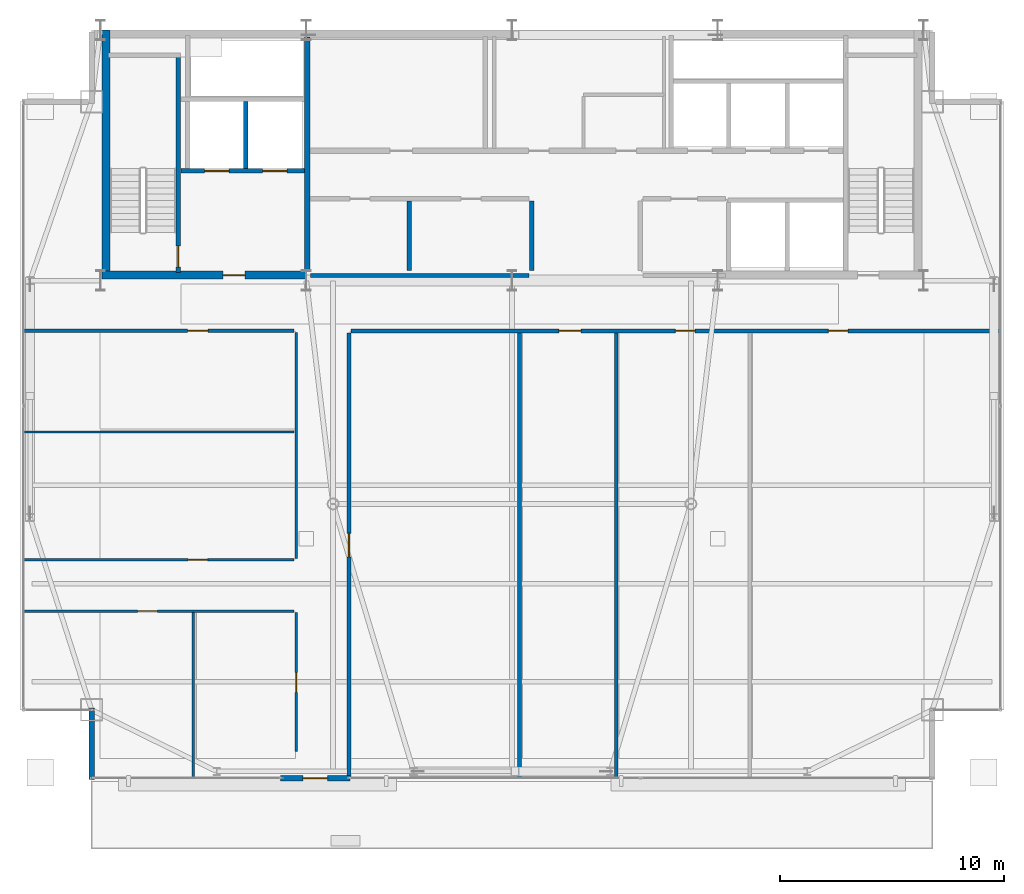
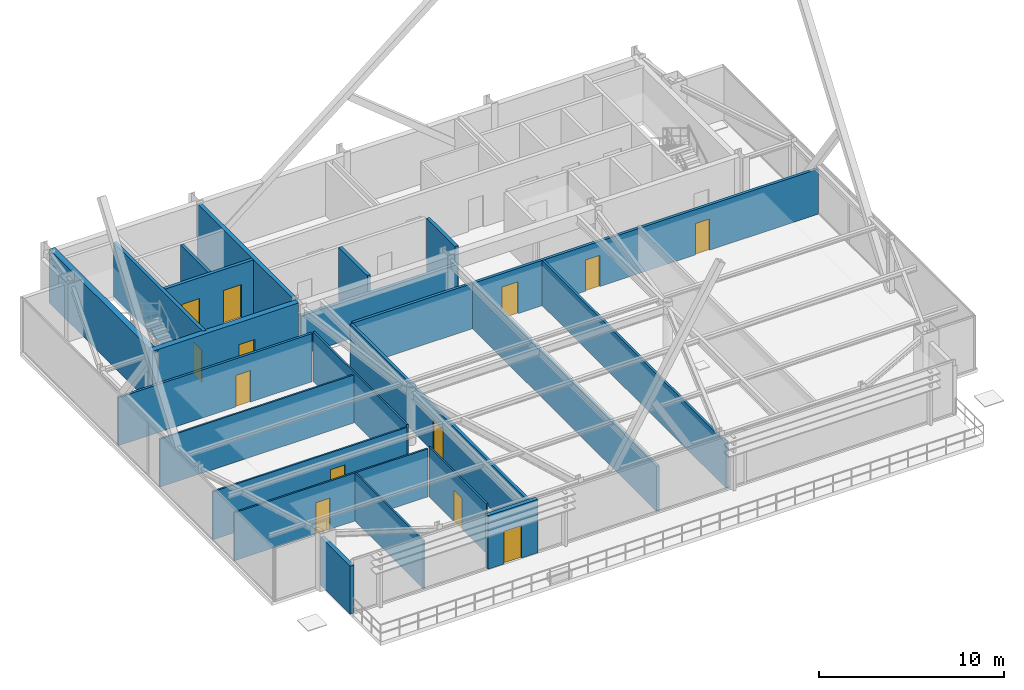
# One storey, part 21 of 25: 22 walls, 13 doors, 13 openings.
"""IFC4 building model written with IfcOpenShell, lengths in metres."""

from ifc_helpers import new_model, si_unit, direction, frame, frame_2d, origin, place, context, subcontext, project, spatial, rectangle, extrude, source, transform, mapped, material, layer, layer_set, type_object, type_shapes, element, fill, save


model = new_model("IFC4")

# Units and contexts
model_context = context("Model", 3, precision=1e-05, world=origin(), true_north=direction((0.0, 1.0)))
body_context = subcontext(model_context, "Body", "Model", "MODEL_VIEW")
ifc_project = project(units=[si_unit("LENGTHUNIT", "METRE"), si_unit("AREAUNIT", "SQUARE_METRE"), si_unit("VOLUMEUNIT", "CUBIC_METRE"), si_unit("PLANEANGLEUNIT", "RADIAN"), si_unit("MASSUNIT", "GRAM", prefix="KILO")], contexts=[model_context])

# Site, building, storey
site_placement = place(None, origin())
site = spatial("IfcSite", under=ifc_project, at=site_placement, CompositionType="ELEMENT")
building_placement = place(site_placement, origin())
building = spatial("IfcBuilding", under=site, at=building_placement, Name="Varnel Quay Broadcast Tower", CompositionType="ELEMENT")
storey_placement = place(building_placement, frame((0.0, 0.0, 258.39990234375)))
storey = spatial("IfcBuildingStorey", under=building, at=storey_placement, Name="L64", CompositionType="ELEMENT", Elevation=258.39990234375)

# Wall, opening, door
ifc_material_1 = material(Name="Concrete CSA A23.3 C50/60", Category="concrete")
ifc_layer_1 = layer(ifc_material_1, 0.199951171875, Name="Concrete CSA A23.3 C50/60")
ifc_layer_set_1 = layer_set([ifc_layer_1], Name="Concrete CSA A23.3 C50/60")
wall_type_1 = type_object("IfcWallType", Name="Wall_CoreShaftShear200", PredefinedType="SHEAR", material=ifc_layer_set_1)
wall_1_placement = place(storey_placement, frame((19.080078125, 35.949951171875, 0.0), z_axis=(0.0, 0.0, 1.0), x_axis=(0.0, 1.0, 0.0)))
wall_1 = element("IfcWall", 1, at=wall_1_placement, inside=storey, type_object=wall_type_1, Name="L64 Stair 1 East Structural Wall", PredefinedType="SHEAR", context=body_context, shape_type="SweptSolid", body=[
    extrude(rectangle(XDim=9.650146484375, YDim=0.199951171875, at=frame_2d((4.8251953125, 0.0))), origin(), (0.0, 0.0, 1.0), 3.550048828125),
])
opening_1_placement = place(wall_1_placement, frame((0.25, 0.0, 0.0)))
opening_1 = element("IfcOpeningElement", 2, at=opening_1_placement, cuts=wall_1, Name="Opening D-L64-S1", PredefinedType="OPENING", context=body_context, shape_type="SweptSolid", body=[
    extrude(rectangle(XDim=0.949951171875, YDim=2.10009765625, at=frame_2d((0.47509765625, 1.050048828125))), frame((0.0, 0.10986328125, 0.0), z_axis=(0.0, -1.0, 0.0), x_axis=(1.0, 0.0, 0.0)), (0.0, 0.0, 1.0), 0.219970703125),
])
ifc_material_2 = material(Name="Insulated Fire-Rated Hollow Steel Door", Category="steel")
door_type_1 = type_object("IfcDoorType", Name="Door_FireStair950", OperationType="NOTDEFINED", PredefinedType="DOOR", material=ifc_material_2)
shared_shape_1 = source(origin(), body_context, "Body", "SweptSolid", [
    extrude(rectangle(XDim=0.949951171875, YDim=2.10009765625, at=frame_2d((0.47509765625, 1.050048828125))), frame((0.0, 0.02490234375, 0.0), z_axis=(0.0, -1.0, 0.0), x_axis=(1.0, 0.0, 0.0)), (0.0, 0.0, 1.0), 0.050048828125),
])
type_shapes(door_type_1, [shared_shape_1])
door_1_placement = place(opening_1_placement, origin())
door_1 = element("IfcDoor", 3, at=door_1_placement, inside=storey, type_object=door_type_1, Name="L64 Stair 1 Fire Door", OperationType="SINGLE_SWING_RIGHT", OverallHeight=2.10009765625, OverallWidth=0.949951171875, PredefinedType="DOOR", context=body_context, shape_type="MappedRepresentation", body=[
    mapped(shared_shape_1, transform((0.0, 0.0, 0.0), x_axis=(1.0, 0.0, 0.0), y_axis=(0.0, 1.0, 0.0), z_axis=(0.0, 0.0, 1.0), scale=1.0)),
])
fill(opening_1, door_1)

# Wall, openings, doors
wall_2_placement = place(storey_placement, frame((19.199951171875, 40.5, 0.0), z_axis=(0.0, 0.0, 1.0), x_axis=(1.0, 0.0, 0.0)))
wall_2 = element("IfcWall", 4, at=wall_2_placement, inside=storey, type_object=wall_type_1, Name="L64 Firefighter Lift Shaft Front Wall", PredefinedType="SHEAR", context=body_context, shape_type="SweptSolid", body=[
    extrude(rectangle(XDim=5.52001953125, YDim=0.199951171875, at=frame_2d((2.760009765625, 0.0))), origin(), (0.0, 0.0, 1.0), 3.550048828125),
])
opening_2_placement = place(wall_2_placement, frame((1.050048828125, 0.0, 0.0)))
opening_2 = element("IfcOpeningElement", 5, at=opening_2_placement, cuts=wall_2, Name="Opening LD-L64-FE1", PredefinedType="OPENING", context=body_context, shape_type="SweptSolid", body=[
    extrude(rectangle(XDim=1.10009765625, YDim=2.179931640625, at=frame_2d((0.550048828125, 1.08984375))), frame((0.0, 0.10986328125, 0.0), z_axis=(0.0, -1.0, 0.0), x_axis=(1.0, 0.0, 0.0)), (0.0, 0.0, 1.0), 0.219970703125),
])
opening_3_placement = place(wall_2_placement, frame((3.64990234375, 0.0, 0.0)))
opening_3 = element("IfcOpeningElement", 6, at=opening_3_placement, cuts=wall_2, Name="Opening LD-L64-FE2", PredefinedType="OPENING", context=body_context, shape_type="SweptSolid", body=[
    extrude(rectangle(XDim=1.10009765625, YDim=2.179931640625, at=frame_2d((0.550048828125, 1.08984375))), frame((0.0, 0.10986328125, 0.0), z_axis=(0.0, -1.0, 0.0), x_axis=(1.0, 0.0, 0.0)), (0.0, 0.0, 1.0), 0.219970703125),
])
ifc_material_3 = material(Name="Brushed Bronze-Stainless Lift Car & Sliding Doors", Category="steel")
door_type_2 = type_object("IfcDoorType", Name="Door_LiftLanding1100", OperationType="SLIDING_TO_LEFT", PredefinedType="DOOR", material=ifc_material_3)
shared_shape_2 = source(origin(), body_context, "Body", "SweptSolid", [
    extrude(rectangle(XDim=1.10009765625, YDim=2.179931640625, at=frame_2d((0.550048828125, 1.08984375))), frame((0.0, 0.02490234375, 0.0), z_axis=(0.0, -1.0, 0.0), x_axis=(1.0, 0.0, 0.0)), (0.0, 0.0, 1.0), 0.050048828125),
])
type_shapes(door_type_2, [shared_shape_2])
door_2_placement = place(opening_2_placement, frame((1.10009765625, 0.0, 0.0), z_axis=(0.0, 0.0, 1.0), x_axis=(-1.0, 0.0, 0.0)))
door_2 = element("IfcDoor", 7, at=door_2_placement, inside=storey, type_object=door_type_2, Name="L64 Firefighter Lift FE-01 Landing Door", OperationType="SLIDING_TO_LEFT", OverallHeight=2.179931640625, OverallWidth=1.10009765625, PredefinedType="DOOR", context=body_context, shape_type="MappedRepresentation", body=[
    mapped(shared_shape_2, transform((0.0, 0.0, 0.0), x_axis=(1.0, 0.0, 0.0), y_axis=(0.0, 1.0, 0.0), z_axis=(0.0, 0.0, 1.0), scale=1.0)),
])
fill(opening_2, door_2)
door_3_placement = place(opening_3_placement, frame((1.10009765625, 0.0, 0.0), z_axis=(0.0, 0.0, 1.0), x_axis=(-1.0, 0.0, 0.0)))
door_3 = element("IfcDoor", 8, at=door_3_placement, inside=storey, type_object=door_type_2, Name="L64 Firefighter Lift FE-02 Landing Door", OperationType="SLIDING_TO_RIGHT", OverallHeight=2.179931640625, OverallWidth=1.10009765625, PredefinedType="DOOR", context=body_context, shape_type="MappedRepresentation", body=[
    mapped(shared_shape_2, transform((0.0, 0.0, 0.0), x_axis=(1.0, 0.0, 0.0), y_axis=(0.0, 1.0, 0.0), z_axis=(0.0, 0.0, 1.0), scale=1.0)),
])
fill(opening_3, door_3)

# Walls
wall_3_placement = place(storey_placement, frame((22.10009765625, 40.60009765625, 0.0), z_axis=(0.0, 0.0, 1.0), x_axis=(0.0, 1.0, 0.0)))
element("IfcWall", 9, at=wall_3_placement, inside=storey, type_object=wall_type_1, Name="L64 Firefighter Lift Shaft Divider", PredefinedType="SHEAR", context=body_context, shape_type="SweptSolid", body=[
    extrude(rectangle(XDim=3.0, YDim=0.199951171875, at=frame_2d((1.5, 0.0))), origin(), (0.0, 0.0, 1.0), 3.550048828125),
])
ifc_layer_2 = layer(ifc_material_1, 0.25, Name="Concrete CSA A23.3 C50/60")
ifc_layer_set_2 = layer_set([ifc_layer_2], Name="Concrete CSA A23.3 C50/60")
wall_type_2 = type_object("IfcWallType", Name="Wall_CoreShaftShear250", PredefinedType="SHEAR", material=ifc_layer_set_2)
wall_4_placement = place(storey_placement, frame((24.85009765625, 36.050048828125, 0.0), z_axis=(0.0, 0.0, 1.0), x_axis=(0.0, 1.0, 0.0)))
element("IfcWall", 10, at=wall_4_placement, inside=storey, type_object=wall_type_2, Name="L64 Firefighting Lobby East Structural Wall", PredefinedType="SHEAR", context=body_context, shape_type="SweptSolid", body=[
    extrude(rectangle(XDim=10.449951171875, YDim=0.25, at=frame_2d((5.22509765625, 0.0))), origin(), (0.0, 0.0, 1.0), 3.550048828125),
])
ifc_layer_3 = layer(ifc_material_1, 0.35009765625, Name="Concrete CSA A23.3 C50/60")
ifc_layer_set_3 = layer_set([ifc_layer_3], Name="Concrete CSA A23.3 C50/60")
wall_type_3 = type_object("IfcWallType", Name="Wall_CoreShearInt350", PredefinedType="SHEAR", material=ifc_layer_set_3)
wall_5_placement = place(storey_placement, frame((15.844970703125, 35.669921875, 0.0), z_axis=(0.0, 0.0, 1.0), x_axis=(0.0, 1.0, 0.0)))
element("IfcWall", 11, at=wall_5_placement, inside=storey, type_object=wall_type_3, Name="L64 West Core Shear Wall", PredefinedType="SHEAR", context=body_context, shape_type="SweptSolid", body=[
    extrude(rectangle(XDim=11.130126953125, YDim=0.35009765625, at=frame_2d((5.56494140625, 0.0))), origin(), (0.0, 0.0, 1.0), 3.550048828125),
])

# Wall, opening, door
wall_6_placement = place(storey_placement, frame((15.669921875, 35.844970703125, 0.0), z_axis=(0.0, 0.0, 1.0), x_axis=(1.0, 0.0, 0.0)))
wall_6 = element("IfcWall", 12, at=wall_6_placement, inside=storey, type_object=wall_type_3, Name="L64 South-West Core Shear Wall", PredefinedType="SHEAR", context=body_context, shape_type="SweptSolid", body=[
    extrude(rectangle(XDim=9.130126953125, YDim=0.35009765625, at=frame_2d((4.56494140625, 0.0))), origin(), (0.0, 0.0, 1.0), 3.550048828125),
])
opening_4_placement = place(wall_6_placement, frame((5.39990234375, 0.0, 0.0)))
opening_4 = element("IfcOpeningElement", 13, at=opening_4_placement, cuts=wall_6, Name="Opening D-L64-FFL", PredefinedType="OPENING", context=body_context, shape_type="SweptSolid", body=[
    extrude(rectangle(XDim=1.0, YDim=2.10009765625, at=frame_2d((0.5, 1.050048828125))), frame((0.0, 0.18505859375, 0.0), z_axis=(0.0, -1.0, 0.0), x_axis=(1.0, 0.0, 0.0)), (0.0, 0.0, 1.0), 0.3701171875),
])
door_type_3 = type_object("IfcDoorType", Name="Door_FireLobby1000", OperationType="NOTDEFINED", PredefinedType="DOOR", material=ifc_material_2)
shared_shape_3 = source(origin(), body_context, "Body", "SweptSolid", [
    extrude(rectangle(XDim=1.0, YDim=2.10009765625, at=frame_2d((0.5, 1.050048828125))), frame((0.0, 0.02490234375, 0.0), z_axis=(0.0, -1.0, 0.0), x_axis=(1.0, 0.0, 0.0)), (0.0, 0.0, 1.0), 0.050048828125),
])
type_shapes(door_type_3, [shared_shape_3])
door_4_placement = place(opening_4_placement, origin())
door_4 = element("IfcDoor", 14, at=door_4_placement, inside=storey, type_object=door_type_3, Name="L64 Firefighting Lobby Door", OperationType="SINGLE_SWING_LEFT", OverallHeight=2.10009765625, OverallWidth=1.0, PredefinedType="DOOR", context=body_context, shape_type="MappedRepresentation", body=[
    mapped(shared_shape_3, transform((0.0, 0.0, 0.0), x_axis=(1.0, 0.0, 0.0), y_axis=(0.0, 1.0, 0.0), z_axis=(0.0, 0.0, 1.0), scale=1.0)),
])
fill(opening_4, door_4)

ifc_material_4 = material(Name="Precast Architectural Concrete C40/50", Category="concrete")
ifc_layer_4 = layer(ifc_material_4, 0.25, Name="Precast Architectural Concrete C40/50")
ifc_layer_set_4 = layer_set([ifc_layer_4], Name="Precast Architectural Concrete C40/50")
wall_type_4 = type_object("IfcWallType", Name="Wall_ExtTerrace250", PredefinedType="SOLIDWALL", material=ifc_layer_set_4)
wall_7_placement = place(storey_placement, frame((23.64990234375, 13.35009765625, 0.0), z_axis=(0.0, 0.0, 1.0), x_axis=(1.0, 0.0, 0.0)))
wall_7 = element("IfcWall", 15, at=wall_7_placement, inside=storey, type_object=wall_type_4, Name="L64 Terrace Access Wall 1", PredefinedType="SOLIDWALL", context=body_context, shape_type="SweptSolid", body=[
    extrude(rectangle(XDim=3.10009765625, YDim=0.25, at=frame_2d((1.550048828125, 0.0))), origin(), (0.0, 0.0, 1.0), 3.530029296875),
])
opening_5_placement = place(wall_7_placement, frame((1.0, 0.0, 0.0)))
opening_5 = element("IfcOpeningElement", 16, at=opening_5_placement, cuts=wall_7, Name="Opening TD-641", PredefinedType="OPENING", context=body_context, shape_type="SweptSolid", body=[
    extrude(rectangle(XDim=1.10009765625, YDim=2.14990234375, at=frame_2d((0.550048828125, 1.074951171875))), frame((0.0, 0.135009765625, 0.0), z_axis=(0.0, -1.0, 0.0), x_axis=(1.0, 0.0, 0.0)), (0.0, 0.0, 1.0), 0.27001953125),
])
ifc_material_5 = material(Name="Anodised Bronze Aluminium 6063-T6", Category="aluminium")
door_type_4 = type_object("IfcDoorType", Name="Door_ExtTerrace1100", OperationType="NOTDEFINED", PredefinedType="DOOR", material=ifc_material_5)
shared_shape_4 = source(origin(), body_context, "Body", "SweptSolid", [
    extrude(rectangle(XDim=1.10009765625, YDim=2.14990234375, at=frame_2d((0.550048828125, 1.074951171875))), frame((0.0, 0.02490234375, 0.0), z_axis=(0.0, -1.0, 0.0), x_axis=(1.0, 0.0, 0.0)), (0.0, 0.0, 1.0), 0.050048828125),
])
type_shapes(door_type_4, [shared_shape_4])
door_5_placement = place(opening_5_placement, frame((1.10009765625, 0.0, 0.0), z_axis=(0.0, 0.0, 1.0), x_axis=(-1.0, 0.0, 0.0)))
door_5 = element("IfcDoor", 17, at=door_5_placement, inside=storey, type_object=door_type_4, Name="L64 Terrace Door TD-641", OperationType="SINGLE_SWING_LEFT", OverallHeight=2.14990234375, OverallWidth=1.10009765625, PredefinedType="DOOR", context=body_context, shape_type="MappedRepresentation", body=[
    mapped(shared_shape_4, transform((0.0, 0.0, 0.0), x_axis=(1.0, 0.0, 0.0), y_axis=(0.0, 1.0, 0.0), z_axis=(0.0, 0.0, 1.0), scale=1.0)),
])
fill(opening_5, door_5)

# Walls
wall_8_placement = place(storey_placement, frame((15.199951171875, 13.280029296875, 0.0), z_axis=(0.0, 0.0, 1.0), x_axis=(0.0, 1.0, 0.0)))
element("IfcWall", 18, at=wall_8_placement, inside=storey, type_object=wall_type_4, Name="L64 Mega-Column Notch Cladding Wall NSW2", PredefinedType="SOLIDWALL", context=body_context, shape_type="SweptSolid", body=[
    extrude(rectangle(XDim=3.199951171875, YDim=0.25, at=frame_2d((1.60009765625, 0.0))), origin(), (0.0, 0.0, 1.0), 3.171142578125),
])
ifc_material_6 = material(Name="Steel-Stud Fire-Rated Acoustic Gypsum Partition Assembly", Category="steel")
ifc_layer_5 = layer(ifc_material_6, 0.10498046875, Name="Steel-Stud Fire-Rated Acoustic Gypsum Partition Assembly")
ifc_layer_set_5 = layer_set([ifc_layer_5], Name="Steel-Stud Fire-Rated Acoustic Gypsum Partition Assembly")
wall_type_5 = type_object("IfcWallType", Name="Wall_Partition105", PredefinedType="PARTITIONING", material=ifc_layer_set_5)
wall_9_placement = place(storey_placement, frame((19.75, 13.3798828125, 0.0), z_axis=(0.0, 0.0, 1.0), x_axis=(0.0, 1.0, 0.0)))
element("IfcWall", 19, at=wall_9_placement, inside=storey, type_object=wall_type_5, Name="L64 Media Tape Archive Store 1 Partition 8", PredefinedType="PARTITIONING", context=body_context, shape_type="SweptSolid", body=[
    extrude(rectangle(XDim=7.378173828125, YDim=0.10498046875, at=frame_2d((3.68896484375, 0.0))), origin(), (0.0, 0.0, 1.0), 3.171142578125),
])

# Wall, opening, door
wall_10_placement = place(storey_placement, frame((12.179931640625, 20.81005859375, 0.0), z_axis=(0.0, 0.0, 1.0), x_axis=(1.0, 0.0, 0.0)))
wall_10 = element("IfcWall", 20, at=wall_10_placement, inside=storey, type_object=wall_type_5, Name="L64 Media Tape Archive Store 1 Partition 9", PredefinedType="PARTITIONING", context=body_context, shape_type="SweptSolid", body=[
    extrude(rectangle(XDim=12.080078125, YDim=0.10498046875, at=frame_2d((6.0400390625, 0.0))), origin(), (0.0, 0.0, 1.0), 3.171142578125),
])
opening_6_placement = place(wall_10_placement, frame((5.080078125, 0.0, 0.0)))
opening_6 = element("IfcOpeningElement", 21, at=opening_6_placement, cuts=wall_10, Name="Opening D-L64-04", PredefinedType="OPENING", context=body_context, shape_type="SweptSolid", body=[
    extrude(rectangle(XDim=0.8798828125, YDim=2.06005859375, at=frame_2d((0.43994140625, 1.030029296875))), frame((0.0, 0.0625, 0.0), z_axis=(0.0, -1.0, 0.0), x_axis=(1.0, 0.0, 0.0)), (0.0, 0.0, 1.0), 0.125),
])
ifc_material_7 = material(Name="Solid-Core Fire-Rated Acoustic Oak Veneer Door", Category="wood")
door_type_5 = type_object("IfcDoorType", Name="Door_Booth880", OperationType="NOTDEFINED", PredefinedType="DOOR", material=ifc_material_7)
shared_shape_5 = source(origin(), body_context, "Body", "SweptSolid", [
    extrude(rectangle(XDim=0.8798828125, YDim=2.06005859375, at=frame_2d((0.43994140625, 1.030029296875))), frame((0.0, 0.02490234375, 0.0), z_axis=(0.0, -1.0, 0.0), x_axis=(1.0, 0.0, 0.0)), (0.0, 0.0, 1.0), 0.050048828125),
])
type_shapes(door_type_5, [shared_shape_5])
door_6_placement = place(opening_6_placement, frame((0.8798828125, 0.0, 0.0), z_axis=(0.0, 0.0, 1.0), x_axis=(-1.0, 0.0, 0.0)))
door_6 = element("IfcDoor", 22, at=door_6_placement, inside=storey, type_object=door_type_5, Name="L64 Media Tape Archive Store 1 Door D-L64-04", OperationType="SINGLE_SWING_LEFT", OverallHeight=2.06005859375, OverallWidth=0.8798828125, PredefinedType="DOOR", context=body_context, shape_type="MappedRepresentation", body=[
    mapped(shared_shape_5, transform((0.0, 0.0, 0.0), x_axis=(1.0, 0.0, 0.0), y_axis=(0.0, 1.0, 0.0), z_axis=(0.0, 0.0, 1.0), scale=1.0)),
])
fill(opening_6, door_6)

wall_11_placement = place(storey_placement, frame((24.360107421875, 14.550048828125, 0.0), z_axis=(0.0, 0.0, 1.0), x_axis=(0.0, 1.0, 0.0)))
wall_11 = element("IfcWall", 23, at=wall_11_placement, inside=storey, type_object=wall_type_5, Name="L64 Lens & Rigging Store 2 Partition 10", PredefinedType="PARTITIONING", context=body_context, shape_type="SweptSolid", body=[
    extrude(rectangle(XDim=6.2080078125, YDim=0.10498046875, at=frame_2d((3.10400390625, 0.0))), origin(), (0.0, 0.0, 1.0), 3.278076171875),
])
opening_7_placement = place(wall_11_placement, frame((2.639892578125, 0.0, 0.0)))
opening_7 = element("IfcOpeningElement", 24, at=opening_7_placement, cuts=wall_11, Name="Opening D-L64-05", PredefinedType="OPENING", context=body_context, shape_type="SweptSolid", body=[
    extrude(rectangle(XDim=0.8798828125, YDim=2.06005859375, at=frame_2d((0.43994140625, 1.030029296875))), frame((0.0, 0.0625, 0.0), z_axis=(0.0, -1.0, 0.0), x_axis=(1.0, 0.0, 0.0)), (0.0, 0.0, 1.0), 0.125),
])
door_7_placement = place(opening_7_placement, origin())
door_7 = element("IfcDoor", 25, at=door_7_placement, inside=storey, type_object=door_type_5, Name="L64 Lens & Rigging Store 2 Door D-L64-05", OperationType="SINGLE_SWING_RIGHT", OverallHeight=2.06005859375, OverallWidth=0.8798828125, PredefinedType="DOOR", context=body_context, shape_type="MappedRepresentation", body=[
    mapped(shared_shape_5, transform((0.0, 0.0, 0.0), x_axis=(1.0, 0.0, 0.0), y_axis=(0.0, 1.0, 0.0), z_axis=(0.0, 0.0, 1.0), scale=1.0)),
])
fill(opening_7, door_7)

wall_12_placement = place(storey_placement, frame((12.179931640625, 23.110107421875, 0.0), z_axis=(0.0, 0.0, 1.0), x_axis=(1.0, 0.0, 0.0)))
wall_12 = element("IfcWall", 26, at=wall_12_placement, inside=storey, type_object=wall_type_5, Name="L64 Ingest Vault Store 3 Partition 11", PredefinedType="PARTITIONING", context=body_context, shape_type="SweptSolid", body=[
    extrude(rectangle(XDim=12.080078125, YDim=0.10498046875, at=frame_2d((6.0400390625, 0.0))), origin(), (0.0, 0.0, 1.0), 3.171142578125),
])
opening_8_placement = place(wall_12_placement, frame((7.3349609375, 0.0, 0.0)))
opening_8 = element("IfcOpeningElement", 27, at=opening_8_placement, cuts=wall_12, Name="Opening D-L64-06", PredefinedType="OPENING", context=body_context, shape_type="SweptSolid", body=[
    extrude(rectangle(XDim=0.8798828125, YDim=2.06005859375, at=frame_2d((0.43994140625, 1.030029296875))), frame((0.0, 0.0625, 0.0), z_axis=(0.0, -1.0, 0.0), x_axis=(1.0, 0.0, 0.0)), (0.0, 0.0, 1.0), 0.125),
])
door_8_placement = place(opening_8_placement, origin())
door_8 = element("IfcDoor", 28, at=door_8_placement, inside=storey, type_object=door_type_5, Name="L64 Ingest Vault Store 3 Door D-L64-06", OperationType="SINGLE_SWING_LEFT", OverallHeight=2.06005859375, OverallWidth=0.8798828125, PredefinedType="DOOR", context=body_context, shape_type="MappedRepresentation", body=[
    mapped(shared_shape_5, transform((0.0, 0.0, 0.0), x_axis=(1.0, 0.0, 0.0), y_axis=(0.0, 1.0, 0.0), z_axis=(0.0, 0.0, 1.0), scale=1.0)),
])
fill(opening_8, door_8)

# Walls
wall_13_placement = place(storey_placement, frame((24.360107421875, 23.162109375, 0.0), z_axis=(0.0, 0.0, 1.0), x_axis=(0.0, 1.0, 0.0)))
element("IfcWall", 29, at=wall_13_placement, inside=storey, type_object=wall_type_5, Name="L64 Ingest Vault Store 3 Partition 12", PredefinedType="PARTITIONING", context=body_context, shape_type="SweptSolid", body=[
    extrude(rectangle(XDim=10.11279296875, YDim=0.10498046875, at=frame_2d((5.056396484375, 0.0))), origin(), (0.0, 0.0, 1.0), 3.278076171875),
])
wall_14_placement = place(storey_placement, frame((12.179931640625, 28.830078125, 0.0), z_axis=(0.0, 0.0, 1.0), x_axis=(1.0, 0.0, 0.0)))
element("IfcWall", 30, at=wall_14_placement, inside=storey, type_object=wall_type_5, Name="L64 Ingest Vault Store 3 Partition 13", PredefinedType="PARTITIONING", context=body_context, shape_type="SweptSolid", body=[
    extrude(rectangle(XDim=12.080078125, YDim=0.10498046875, at=frame_2d((6.0400390625, 0.0))), origin(), (0.0, 0.0, 1.0), 3.171142578125),
])
ifc_layer_6 = layer(ifc_material_6, 0.139892578125, Name="Steel-Stud Fire-Rated Acoustic Gypsum Partition Assembly")
ifc_layer_set_6 = layer_set([ifc_layer_6], Name="Steel-Stud Fire-Rated Acoustic Gypsum Partition Assembly")
wall_type_6 = type_object("IfcWallType", Name="Wall_Partition140", PredefinedType="PARTITIONING", material=ifc_layer_set_6)
wall_15_placement = place(storey_placement, frame((38.659912109375, 13.3798828125, 0.0), z_axis=(0.0, 0.0, 1.0), x_axis=(0.0, 1.0, 0.0)))
element("IfcWall", 31, at=wall_15_placement, inside=storey, type_object=wall_type_6, Name="L64 Producer Lounge 6 Partition 18", PredefinedType="PARTITIONING", context=body_context, shape_type="SweptSolid", body=[
    extrude(rectangle(XDim=19.883056640625, YDim=0.139892578125, at=frame_2d((9.94140625, 0.0))), origin(), (0.0, 0.0, 1.0), 2.981201171875),
])

# Wall, opening, door
ifc_layer_7 = layer(ifc_material_6, 0.14990234375, Name="Steel-Stud Fire-Rated Acoustic Gypsum Partition Assembly")
ifc_layer_set_7 = layer_set([ifc_layer_7], Name="Steel-Stud Fire-Rated Acoustic Gypsum Partition Assembly")
wall_type_7 = type_object("IfcWallType", Name="Wall_Partition150", PredefinedType="PARTITIONING", material=ifc_layer_set_7)
wall_16_placement = place(storey_placement, frame((12.179931640625, 33.35009765625, 0.0), z_axis=(0.0, 0.0, 1.0), x_axis=(1.0, 0.0, 0.0)))
wall_16 = element("IfcWall", 32, at=wall_16_placement, inside=storey, type_object=wall_type_7, Name="L64 Color Timing Suite 4 Partition 14", PredefinedType="PARTITIONING", context=body_context, shape_type="SweptSolid", body=[
    extrude(rectangle(XDim=12.080078125, YDim=0.14990234375, at=frame_2d((6.0400390625, 0.0))), origin(), (0.0, 0.0, 1.0), 3.171142578125),
])
opening_9_placement = place(wall_16_placement, frame((7.31494140625, 0.0, 0.0)))
opening_9 = element("IfcOpeningElement", 33, at=opening_9_placement, cuts=wall_16, Name="Opening D-L64-07", PredefinedType="OPENING", context=body_context, shape_type="SweptSolid", body=[
    extrude(rectangle(XDim=0.919921875, YDim=2.080078125, at=frame_2d((0.4599609375, 1.0400390625))), frame((0.0, 0.0849609375, 0.0), z_axis=(0.0, -1.0, 0.0), x_axis=(1.0, 0.0, 0.0)), (0.0, 0.0, 1.0), 0.169921875),
])
door_type_6 = type_object("IfcDoorType", Name="Door_Office920", OperationType="NOTDEFINED", PredefinedType="DOOR", material=ifc_material_7)
shared_shape_6 = source(origin(), body_context, "Body", "SweptSolid", [
    extrude(rectangle(XDim=0.919921875, YDim=2.080078125, at=frame_2d((0.4599609375, 1.0400390625))), frame((0.0, 0.02490234375, 0.0), z_axis=(0.0, -1.0, 0.0), x_axis=(1.0, 0.0, 0.0)), (0.0, 0.0, 1.0), 0.050048828125),
])
type_shapes(door_type_6, [shared_shape_6])
door_9_placement = place(opening_9_placement, frame((0.919921875, 0.0, 0.0), z_axis=(0.0, 0.0, 1.0), x_axis=(-1.0, 0.0, 0.0)))
door_9 = element("IfcDoor", 34, at=door_9_placement, inside=storey, type_object=door_type_6, Name="L64 Color Timing Suite 4 Door D-L64-07", OperationType="SINGLE_SWING_RIGHT", OverallHeight=2.080078125, OverallWidth=0.919921875, PredefinedType="DOOR", context=body_context, shape_type="MappedRepresentation", body=[
    mapped(shared_shape_6, transform((0.0, 0.0, 0.0), x_axis=(1.0, 0.0, 0.0), y_axis=(0.0, 1.0, 0.0), z_axis=(0.0, 0.0, 1.0), scale=1.0)),
])
fill(opening_9, door_9)

# Wall
ifc_layer_8 = layer(ifc_material_6, 0.175048828125, Name="Steel-Stud Fire-Rated Acoustic Gypsum Partition Assembly")
ifc_layer_set_8 = layer_set([ifc_layer_8], Name="Steel-Stud Fire-Rated Acoustic Gypsum Partition Assembly")
wall_type_8 = type_object("IfcWallType", Name="Wall_Partition175", PredefinedType="PARTITIONING", material=ifc_layer_set_8)
wall_17_placement = place(storey_placement, frame((34.330078125, 13.3798828125, 0.0), z_axis=(0.0, 0.0, 1.0), x_axis=(0.0, 1.0, 0.0)))
element("IfcWall", 35, at=wall_17_placement, inside=storey, type_object=wall_type_8, Name="L64 Screening Meeting Room 5 Partition 15", PredefinedType="PARTITIONING", context=body_context, shape_type="SweptSolid", body=[
    extrude(rectangle(XDim=19.883056640625, YDim=0.175048828125, at=frame_2d((9.94140625, 0.0))), origin(), (0.0, 0.0, 1.0), 2.981201171875),
])

# Wall, openings, doors
wall_18_placement = place(storey_placement, frame((26.81005859375, 33.35009765625, 0.0), z_axis=(0.0, 0.0, 1.0), x_axis=(1.0, 0.0, 0.0)))
wall_18 = element("IfcWall", 36, at=wall_18_placement, inside=storey, type_object=wall_type_8, Name="L64 Screening Meeting Room 5 Partition 16", PredefinedType="PARTITIONING", context=body_context, shape_type="SweptSolid", body=[
    extrude(rectangle(XDim=29.010009765625, YDim=0.175048828125, at=frame_2d((14.5048828125, 0.0))), origin(), (0.0, 0.0, 1.0), 2.981201171875),
])
opening_10_placement = place(wall_18_placement, frame((9.284912109375, 0.0, 0.0)))
opening_10 = element("IfcOpeningElement", 37, at=opening_10_placement, cuts=wall_18, Name="Opening D-L64-09", PredefinedType="OPENING", context=body_context, shape_type="SweptSolid", body=[
    extrude(rectangle(XDim=1.0, YDim=2.10009765625, at=frame_2d((0.5, 1.050048828125))), frame((0.0, 0.09765625, 0.0), z_axis=(0.0, -1.0, 0.0), x_axis=(1.0, 0.0, 0.0)), (0.0, 0.0, 1.0), 0.195068359375),
])
opening_11_placement = place(wall_18_placement, frame((14.4951171875, 0.0, 0.0)))
opening_11 = element("IfcOpeningElement", 38, at=opening_11_placement, cuts=wall_18, Name="Opening D-L64-10", PredefinedType="OPENING", context=body_context, shape_type="SweptSolid", body=[
    extrude(rectangle(XDim=0.8798828125, YDim=2.06005859375, at=frame_2d((0.43994140625, 1.030029296875))), frame((0.0, 0.09765625, 0.0), z_axis=(0.0, -1.0, 0.0), x_axis=(1.0, 0.0, 0.0)), (0.0, 0.0, 1.0), 0.195068359375),
])
opening_12_placement = place(wall_18_placement, frame((21.340087890625, 0.0, 0.0)))
opening_12 = element("IfcOpeningElement", 39, at=opening_12_placement, cuts=wall_18, Name="Opening D-L64-11", PredefinedType="OPENING", context=body_context, shape_type="SweptSolid", body=[
    extrude(rectangle(XDim=0.8798828125, YDim=2.06005859375, at=frame_2d((0.43994140625, 1.030029296875))), frame((0.0, 0.09765625, 0.0), z_axis=(0.0, -1.0, 0.0), x_axis=(1.0, 0.0, 0.0)), (0.0, 0.0, 1.0), 0.195068359375),
])
door_10_placement = place(opening_11_placement, frame((0.8798828125, 0.0, 0.0), z_axis=(0.0, 0.0, 1.0), x_axis=(-1.0, 0.0, 0.0)))
door_10 = element("IfcDoor", 40, at=door_10_placement, inside=storey, type_object=door_type_5, Name="L64 Tea Kitchen 7 Door D-L64-10", OperationType="SINGLE_SWING_LEFT", OverallHeight=2.06005859375, OverallWidth=0.8798828125, PredefinedType="DOOR", context=body_context, shape_type="MappedRepresentation", body=[
    mapped(shared_shape_5, transform((0.0, 0.0, 0.0), x_axis=(1.0, 0.0, 0.0), y_axis=(0.0, 1.0, 0.0), z_axis=(0.0, 0.0, 1.0), scale=1.0)),
])
fill(opening_11, door_10)
door_11_placement = place(opening_12_placement, frame((0.8798828125, 0.0, 0.0), z_axis=(0.0, 0.0, 1.0), x_axis=(-1.0, 0.0, 0.0)))
door_11 = element("IfcDoor", 41, at=door_11_placement, inside=storey, type_object=door_type_5, Name="L64 Media Tape Archive Store 8 Door D-L64-11", OperationType="SINGLE_SWING_RIGHT", OverallHeight=2.06005859375, OverallWidth=0.8798828125, PredefinedType="DOOR", context=body_context, shape_type="MappedRepresentation", body=[
    mapped(shared_shape_5, transform((0.0, 0.0, 0.0), x_axis=(1.0, 0.0, 0.0), y_axis=(0.0, 1.0, 0.0), z_axis=(0.0, 0.0, 1.0), scale=1.0)),
])
fill(opening_12, door_11)
door_type_7 = type_object("IfcDoorType", Name="Door_Exec1000", OperationType="NOTDEFINED", PredefinedType="DOOR", material=ifc_material_7)
shared_shape_7 = source(origin(), body_context, "Body", "SweptSolid", [
    extrude(rectangle(XDim=1.0, YDim=2.10009765625, at=frame_2d((0.5, 1.050048828125))), frame((0.0, 0.02490234375, 0.0), z_axis=(0.0, -1.0, 0.0), x_axis=(1.0, 0.0, 0.0)), (0.0, 0.0, 1.0), 0.050048828125),
])
type_shapes(door_type_7, [shared_shape_7])
door_12_placement = place(opening_10_placement, frame((1.0, 0.0, 0.0), z_axis=(0.0, 0.0, 1.0), x_axis=(-1.0, 0.0, 0.0)))
door_12 = element("IfcDoor", 42, at=door_12_placement, inside=storey, type_object=door_type_7, Name="L64 Producer Lounge 6 Door D-L64-09", OperationType="SINGLE_SWING_RIGHT", OverallHeight=2.10009765625, OverallWidth=1.0, PredefinedType="DOOR", context=body_context, shape_type="MappedRepresentation", body=[
    mapped(shared_shape_7, transform((0.0, 0.0, 0.0), x_axis=(1.0, 0.0, 0.0), y_axis=(0.0, 1.0, 0.0), z_axis=(0.0, 0.0, 1.0), scale=1.0)),
])
fill(opening_10, door_12)

# Wall, opening, door
wall_19_placement = place(storey_placement, frame((26.7099609375, 13.3798828125, 0.0), z_axis=(0.0, 0.0, 1.0), x_axis=(0.0, 1.0, 0.0)))
wall_19 = element("IfcWall", 43, at=wall_19_placement, inside=storey, type_object=wall_type_8, Name="L64 Screening Meeting Room 5 Partition 17", PredefinedType="PARTITIONING", context=body_context, shape_type="SweptSolid", body=[
    extrude(rectangle(XDim=19.883056640625, YDim=0.175048828125, at=frame_2d((9.94140625, 0.0))), origin(), (0.0, 0.0, 1.0), 2.981201171875),
])
opening_13_placement = place(wall_19_placement, frame((9.864990234375, 0.0, 0.0)))
opening_13 = element("IfcOpeningElement", 44, at=opening_13_placement, cuts=wall_19, Name="Opening D-L64-08", PredefinedType="OPENING", context=body_context, shape_type="SweptSolid", body=[
    extrude(rectangle(XDim=1.050048828125, YDim=2.10009765625, at=frame_2d((0.52490234375, 1.050048828125))), frame((0.0, 0.09765625, 0.0), z_axis=(0.0, -1.0, 0.0), x_axis=(1.0, 0.0, 0.0)), (0.0, 0.0, 1.0), 0.195068359375),
])
door_type_8 = type_object("IfcDoorType", Name="Door_Meeting1050", OperationType="NOTDEFINED", PredefinedType="DOOR", material=ifc_material_7)
shared_shape_8 = source(origin(), body_context, "Body", "SweptSolid", [
    extrude(rectangle(XDim=1.050048828125, YDim=2.10009765625, at=frame_2d((0.52490234375, 1.050048828125))), frame((0.0, 0.02490234375, 0.0), z_axis=(0.0, -1.0, 0.0), x_axis=(1.0, 0.0, 0.0)), (0.0, 0.0, 1.0), 0.050048828125),
])
type_shapes(door_type_8, [shared_shape_8])
door_13_placement = place(opening_13_placement, frame((1.050048828125, 0.0, 0.0), z_axis=(0.0, 0.0, 1.0), x_axis=(-1.0, 0.0, 0.0)))
door_13 = element("IfcDoor", 45, at=door_13_placement, inside=storey, type_object=door_type_8, Name="L64 Screening Meeting Room 5 Door D-L64-08", OperationType="SINGLE_SWING_LEFT", OverallHeight=2.10009765625, OverallWidth=1.050048828125, PredefinedType="DOOR", context=body_context, shape_type="MappedRepresentation", body=[
    mapped(shared_shape_8, transform((0.0, 0.0, 0.0), x_axis=(1.0, 0.0, 0.0), y_axis=(0.0, 1.0, 0.0), z_axis=(0.0, 0.0, 1.0), scale=1.0)),
])
fill(opening_13, door_13)

# Walls
ifc_material_8 = material(Name="Fire-Rated Moisture-Resistant Plumbing Chase Partition")
ifc_layer_9 = layer(ifc_material_8, 0.199951171875, Name="Fire-Rated Moisture-Resistant Plumbing Chase Partition")
ifc_layer_set_9 = layer_set([ifc_layer_9], Name="Fire-Rated Moisture-Resistant Plumbing Chase Partition")
wall_type_9 = type_object("IfcWallType", Name="Wall_Plumbing200", PredefinedType="PLUMBINGWALL", material=ifc_layer_set_9)
wall_20_placement = place(storey_placement, frame((25.0, 35.824951171875, 0.0), z_axis=(0.0, 0.0, 1.0), x_axis=(1.0, 0.0, 0.0)))
element("IfcWall", 46, at=wall_20_placement, inside=storey, type_object=wall_type_9, Name="L64 Accessible Washroom Partition 1", PredefinedType="PLUMBINGWALL", context=body_context, shape_type="SweptSolid", body=[
    extrude(rectangle(XDim=9.75, YDim=0.199951171875, at=frame_2d((4.875, 0.0))), origin(), (0.0, 0.0, 1.0), 2.5751953125),
])
for number, where, z_axis, x_axis, name in (
    (47, (29.39990234375, 36.050048828125, 0.0), (0.0, 0.0, 1.0), (0.0, 1.0, 0.0), "L64 Accessible Washroom Partition 2"),
    (48, (34.875, 36.050048828125, 0.0), (0.0, 0.0, 1.0), (0.0, 1.0, 0.0), "L64 Staff Washrooms Partition 4"),
):
    element("IfcWall", number, at=place(storey_placement, frame(where, z_axis=z_axis, x_axis=x_axis)), inside=storey, type_object=wall_type_9, Name=name, PredefinedType="PLUMBINGWALL", context=body_context, shape_type="SweptSolid", body=[
        extrude(rectangle(XDim=3.099853515625, YDim=0.199951171875, at=frame_2d((1.5498046875, 0.0))), origin(), (0.0, 0.0, 1.0), 3.530029296875),
    ])

save(model, "model.ifc")
